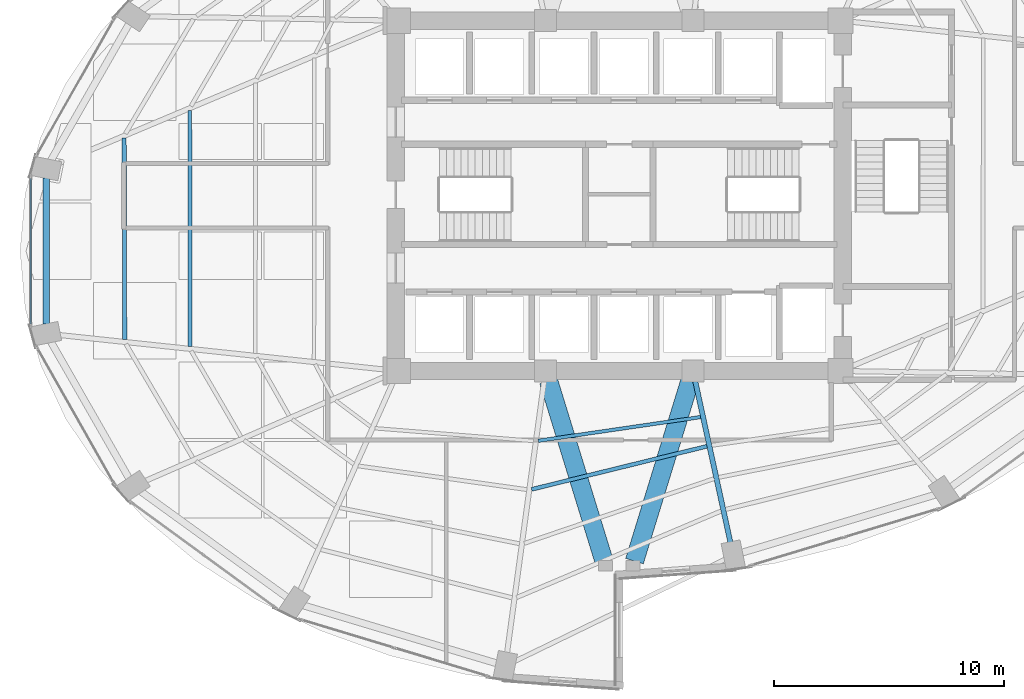
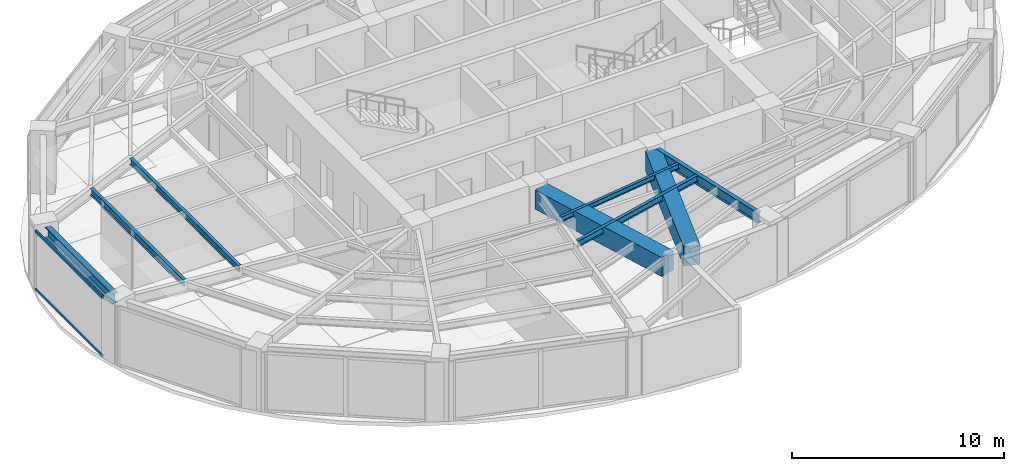
# One storey, part 7 of 23: 8 beams, 2 members, 1 element without a shape of its own.
"""IFC4 building model written with IfcOpenShell, lengths in metres."""

from ifc_helpers import new_model, si_unit, direction, frame, origin, origin_2d, place, context, subcontext, project, spatial, rectangle, hollow_rectangle, i_section, extrude, material, layer, layer_set, material_profile, profile_set, type_object, element, aggregate, save


model = new_model("IFC4")

# Units and contexts
model_context = context("Model", 3, precision=1e-05, world=origin(), true_north=direction((0.0, 1.0)))
body_context = subcontext(model_context, "Body", "Model", "MODEL_VIEW")
ifc_project = project(units=[si_unit("LENGTHUNIT", "METRE"), si_unit("AREAUNIT", "SQUARE_METRE"), si_unit("VOLUMEUNIT", "CUBIC_METRE"), si_unit("PLANEANGLEUNIT", "RADIAN"), si_unit("MASSUNIT", "GRAM", prefix="KILO")], contexts=[model_context])

# Site, building, storey
site_placement = place(None, origin())
site = spatial("IfcSite", under=ifc_project, at=site_placement, CompositionType="ELEMENT")
building_placement = place(site_placement, origin())
building = spatial("IfcBuilding", under=site, at=building_placement, Name="Lazwardi Medical Tower", CompositionType="ELEMENT")
storey_placement = place(building_placement, frame((0.0, 0.0, 125.52001953125)))
storey = spatial("IfcBuildingStorey", under=building, at=storey_placement, Name="L32", CompositionType="ELEMENT", Elevation=125.52001953125)

# Beams
ifc_material_1 = material(Name="Concrete C70/85", Category="concrete")
ifc_material_profile_1 = material_profile(ifc_material_1, rectangle(XDim=0.800048828125, YDim=1.10009765625, at=origin_2d()), Name="RC 800x1100")
ifc_profile_set_1 = profile_set([ifc_material_profile_1], Name="Concrete C70/85")
beam_type_1 = type_object("IfcBeamType", Name="BM-CB-RC1", PredefinedType="LINTEL", material=ifc_profile_set_1)
for number, where, z_axis, x_axis, name in (
    (1, (32.935302734375, 19.960205078125, 2.8779296875), (0.294073251002, -0.955782884888, 0.0), (0.955782884888, 0.294073251002, 0.0), "Core coupling lintel CB-01 PL3 L32"),
    (2, (39.064697265625, 19.960205078125, 2.8779296875), (-0.294073251002, -0.955782884888, 0.0), (0.955782884888, -0.294073251002, 0.0), "Core coupling lintel CB-01 PL4 L32"),
):
    element("IfcBeam", number, at=place(storey_placement, frame(where, z_axis=z_axis, x_axis=x_axis)), inside=storey, type_object=beam_type_1, Name=name, PredefinedType="LINTEL", context=body_context, shape_type="SweptSolid", body=[
        extrude(rectangle(XDim=0.800048828125, YDim=1.10009765625, at=origin_2d()), origin(), (0.0, 0.0, 1.0), 8.1708984375),
    ])
ifc_material_2 = material(Name="Steel S355", Category="steel")
ifc_material_profile_2 = material_profile(ifc_material_2, i_section(OverallWidth=0.300048828125, OverallDepth=0.60009765625, WebThickness=0.015380859375, FlangeThickness=0.030029296875, at=origin_2d()), Name="HEB 600")
ifc_profile_set_2 = profile_set([ifc_material_profile_2], Name="Steel S355")
beam_type_2 = type_object("IfcBeamType", Name="BM-RB-Z2", PredefinedType="BEAM", material=ifc_profile_set_2)
beam_1_placement = place(storey_placement, frame((11.13720703125, 28.77001953125, 3.1279296875), z_axis=(0.0, -1.0, 0.0), x_axis=(1.0, 0.0, 0.0)))
element("IfcBeam", 3, at=beam_1_placement, inside=storey, type_object=beam_type_2, Name="Ring beam RB-03 B12 L32", PredefinedType="BEAM", context=body_context, shape_type="SweptSolid", body=[
    extrude(i_section(OverallWidth=0.300048828125, OverallDepth=0.60009765625, WebThickness=0.015380859375, FlangeThickness=0.030029296875, at=origin_2d()), origin(), (0.0, 0.0, 1.0), 6.33984375),
])
ifc_material_profile_3 = material_profile(ifc_material_2, i_section(OverallWidth=0.219970703125, OverallDepth=0.60009765625, WebThickness=0.011962890625, FlangeThickness=0.01904296875, at=origin_2d()), Name="IPE 600")
ifc_profile_set_3 = profile_set([ifc_material_profile_3], Name="Steel S355")
beam_type_3 = type_object("IfcBeamType", Name="BM-RG-W1", PredefinedType="BEAM", material=ifc_profile_set_3)
beam_2_placement = place(storey_placement, frame((40.82177734375, 12.96923828125, 3.1279296875), z_axis=(-0.213228150441, 0.977002433907, 0.0), x_axis=(-0.977002433907, -0.213228150441, 0.0)))
element("IfcBeam", 4, at=beam_2_placement, inside=storey, type_object=beam_type_3, Name="Radial girder RG-02 R01 L32", PredefinedType="BEAM", context=body_context, shape_type="SweptSolid", body=[
    extrude(i_section(OverallWidth=0.219970703125, OverallDepth=0.60009765625, WebThickness=0.011962890625, FlangeThickness=0.01904296875, at=origin_2d()), origin(), (0.0, 0.0, 1.0), 7.145751953125),
])
ifc_material_profile_4 = material_profile(ifc_material_2, i_section(OverallWidth=0.179931640625, OverallDepth=0.39990234375, WebThickness=0.008544921875, FlangeThickness=0.013427734375, at=origin_2d()), Name="IPE 400")
ifc_profile_set_4 = profile_set([ifc_material_profile_4], Name="Steel S355")
beam_type_4 = type_object("IfcBeamType", Name="BM-SJ-01", PredefinedType="JOIST", material=ifc_profile_set_4)
beam_3_placement = place(storey_placement, frame((14.51904296875, 30.497314453125, 3.22802734375), z_axis=(0.002907126978, -0.999995774297, 0.0), x_axis=(0.999995774297, 0.002907126978, 0.0)))
element("IfcBeam", 5, at=beam_3_placement, inside=storey, type_object=beam_type_4, Name="Secondary joist SJ-01 R1 B12 L32", PredefinedType="JOIST", context=body_context, shape_type="SweptSolid", body=[
    extrude(i_section(OverallWidth=0.179931640625, OverallDepth=0.39990234375, WebThickness=0.008544921875, FlangeThickness=0.013427734375, at=origin_2d()), origin(), (0.0, 0.0, 1.0), 8.73388671875),
])
ifc_material_profile_5 = material_profile(ifc_material_2, i_section(OverallWidth=0.169921875, OverallDepth=0.360107421875, WebThickness=0.008056640625, FlangeThickness=0.0126953125, at=origin_2d()), Name="IPE 360")
ifc_profile_set_5 = profile_set([ifc_material_profile_5], Name="Steel S355")
beam_type_5 = type_object("IfcBeamType", Name="BM-SJ-02", PredefinedType="JOIST", material=ifc_profile_set_5)
beam_4_placement = place(storey_placement, frame((17.365966796875, 31.69482421875, 3.248046875), z_axis=(0.000930565095, -0.999999567024, 0.0), x_axis=(0.999999567024, 0.000930565095, 0.0)))
element("IfcBeam", 6, at=beam_4_placement, inside=storey, type_object=beam_type_5, Name="Secondary joist SJ-02 R2 B12 L32", PredefinedType="JOIST", context=body_context, shape_type="SweptSolid", body=[
    extrude(i_section(OverallWidth=0.169921875, OverallDepth=0.360107421875, WebThickness=0.008056640625, FlangeThickness=0.0126953125, at=origin_2d()), origin(), (0.0, 0.0, 1.0), 10.23193359375),
])
beam_5_placement = place(storey_placement, frame((32.19775390625, 15.262451171875, 3.248046875), z_axis=(0.97107737879, 0.238764998276, 0.0), x_axis=(-0.238764998276, 0.97107737879, 0.0)))
element("IfcBeam", 7, at=beam_5_placement, inside=storey, type_object=beam_type_5, Name="Secondary joist SJ-02 R3 B16 L32", PredefinedType="JOIST", context=body_context, shape_type="SweptSolid", body=[
    extrude(i_section(OverallWidth=0.169921875, OverallDepth=0.360107421875, WebThickness=0.008056640625, FlangeThickness=0.0126953125, at=origin_2d()), origin(), (0.0, 0.0, 1.0), 7.83447265625),
])
ifc_material_profile_6 = material_profile(ifc_material_2, i_section(OverallWidth=0.14990234375, OverallDepth=0.300048828125, WebThickness=0.007080078125, FlangeThickness=0.0107421875, at=origin_2d()), Name="IPE 300")
ifc_profile_set_6 = profile_set([ifc_material_profile_6], Name="Steel S355")
beam_type_6 = type_object("IfcBeamType", Name="BM-SJ-03", PredefinedType="JOIST", material=ifc_profile_set_6)
beam_6_placement = place(storey_placement, frame((32.488525390625, 17.37060546875, 3.278076171875), z_axis=(0.98949221477, 0.144586157392, 0.0), x_axis=(-0.144586157392, 0.98949221477, 0.0)))
element("IfcBeam", 8, at=beam_6_placement, inside=storey, type_object=beam_type_6, Name="Secondary joist SJ-03 R4 B16 L32", PredefinedType="JOIST", context=body_context, shape_type="SweptSolid", body=[
    extrude(i_section(OverallWidth=0.14990234375, OverallDepth=0.300048828125, WebThickness=0.007080078125, FlangeThickness=0.0107421875, at=origin_2d()), origin(), (0.0, 0.0, 1.0), 7.115478515625),
])

# Curtain wall, members
ifc_material_3 = material(Name="Anodised bronze aluminium and solar control glazing", Category="aluminium")
ifc_layer = layer(ifc_material_3, 0.195068359375)
ifc_layer_set = layer_set([ifc_layer], Name="Anodised bronze aluminium and solar control glazing")
curtain_wall_type = type_object("IfcCurtainWallType", Name="CW-SYS-03", PredefinedType="NOTDEFINED", material=ifc_layer_set)
curtain_wall_placement = place(storey_placement, origin())
curtain_wall = element("IfcCurtainWall", 9, at=curtain_wall_placement, inside=storey, type_object=curtain_wall_type, Name="L32 Unitised bronze curtain wall CW-03", PredefinedType="NOTDEFINED")
ifc_material_4 = material(Name="Anodised bronze aluminium", Category="aluminium")
ifc_material_profile_7 = material_profile(ifc_material_4, hollow_rectangle(XDim=0.074951171875, YDim=0.159912109375, WallThickness=0.00390625, at=origin_2d()), Name="ALU-TRANSOM 160x75x4")
ifc_profile_set_7 = profile_set([ifc_material_profile_7], Name="Anodised bronze aluminium")
member_type = type_object("IfcMemberType", Name="CW-TRN-01", PredefinedType="USERDEFINED", material=ifc_profile_set_7)
member_1_placement = place(storey_placement, frame((10.471923828125, 28.760009765625, 0.03759765625), z_axis=(0.0, -1.0, 0.0), x_axis=(1.0, 0.0, 0.0)))
member_1 = element("IfcMember", 10, at=member_1_placement, type_object=member_type, Name="CW-03 transom 1.1", ObjectType="TRANSOM", PredefinedType="USERDEFINED", context=body_context, shape_type="SweptSolid", body=[
    extrude(hollow_rectangle(XDim=0.074951171875, YDim=0.159912109375, WallThickness=0.00390625, at=origin_2d()), origin(), (0.0, 0.0, 1.0), 6.31982421875),
])
member_2_placement = place(storey_placement, frame((10.471923828125, 28.760009765625, 3.390380859375), z_axis=(0.0, -1.0, 0.0), x_axis=(1.0, 0.0, 0.0)))
member_2 = element("IfcMember", 11, at=member_2_placement, type_object=member_type, Name="CW-03 transom 1.2", ObjectType="TRANSOM", PredefinedType="USERDEFINED", context=body_context, shape_type="SweptSolid", body=[
    extrude(hollow_rectangle(XDim=0.074951171875, YDim=0.159912109375, WallThickness=0.00390625, at=origin_2d()), origin(), (0.0, 0.0, 1.0), 6.31982421875),
])
aggregate(curtain_wall, [member_1, member_2])

save(model, "model.ifc")
